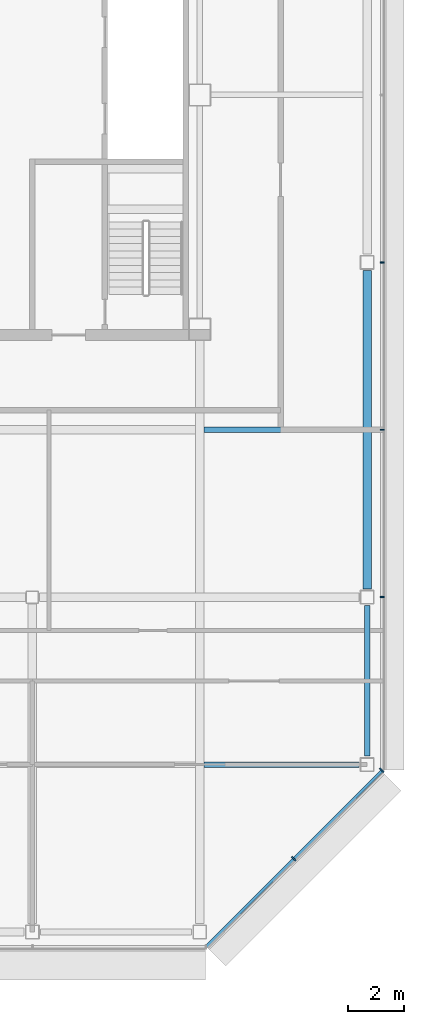
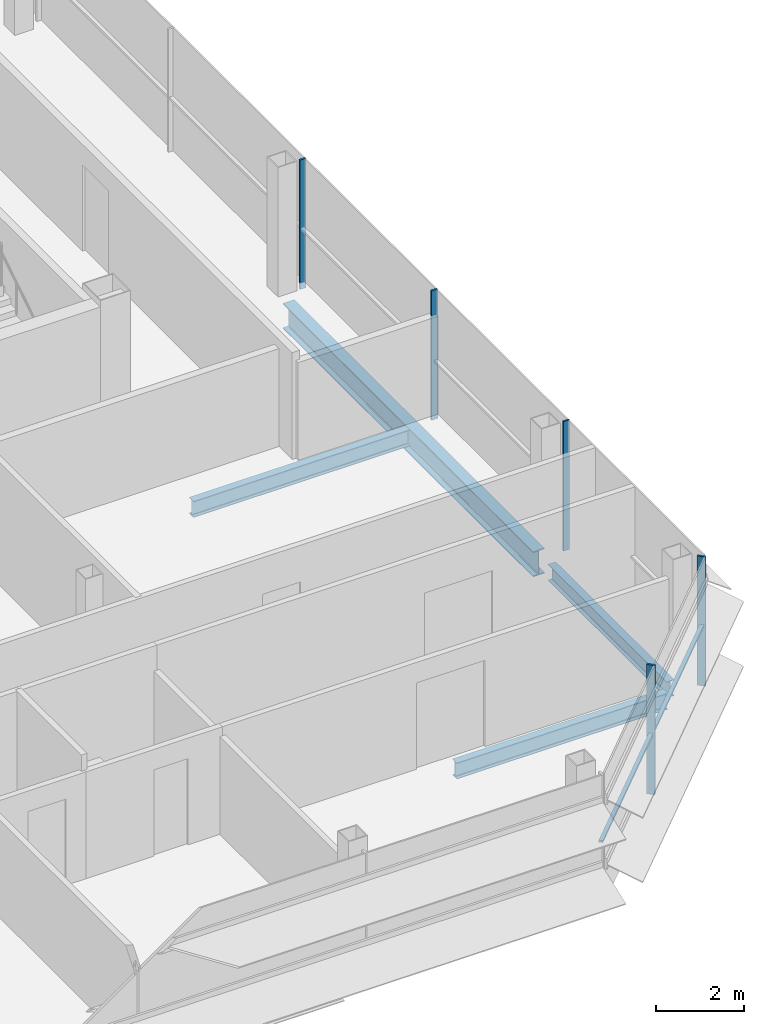
# One storey, part 17 of 28: 6 members, 4 beams, 2 elements without a shape of their own.
"""IFC4 building model written with IfcOpenShell, lengths in metres."""

from ifc_helpers import new_model, si_unit, direction, frame, origin, origin_2d, place, context, subcontext, project, spatial, rectangle, i_section, extrude, material, material_profile, profile_set, type_object, element, aggregate, save


model = new_model("IFC4")

# Units and contexts
model_context = context("Model", 3, precision=1e-05, world=origin(), true_north=direction((0.0, 1.0)))
body_context = subcontext(model_context, "Body", "Model", "MODEL_VIEW")
ifc_project = project(units=[si_unit("LENGTHUNIT", "METRE"), si_unit("AREAUNIT", "SQUARE_METRE"), si_unit("VOLUMEUNIT", "CUBIC_METRE"), si_unit("PLANEANGLEUNIT", "RADIAN"), si_unit("MASSUNIT", "GRAM", prefix="KILO")], contexts=[model_context])

# Site, building, storey
site_placement = place(None, origin())
site = spatial("IfcSite", under=ifc_project, at=site_placement, CompositionType="ELEMENT")
building_placement = place(site_placement, origin())
building = spatial("IfcBuilding", under=site, at=building_placement, Name="Sorahane Residences", CompositionType="ELEMENT")
storey_placement = place(building_placement, frame((0.0, 0.0, 301.60009765625)))
storey = spatial("IfcBuildingStorey", under=building, at=storey_placement, Name="L71", CompositionType="ELEMENT", Elevation=301.60009765625)

# Curtain wall, members
ifc_material_1 = material(Name="Dark low-e glass and black anodised aluminium", Category="aluminium")
curtain_wall_type_1 = type_object("IfcCurtainWallType", Name="Curtain wall CW-1 Typical unitised wall", PredefinedType="NOTDEFINED", material=ifc_material_1)
curtain_wall_1_placement = place(storey_placement, origin())
curtain_wall_1 = element("IfcCurtainWall", 1, at=curtain_wall_1_placement, inside=storey, type_object=curtain_wall_type_1, Name="CW-1 curtain wall L71 E1", PredefinedType="NOTDEFINED")
ifc_material_2 = material(Name="Black anodised aluminium", Category="aluminium")
ifc_material_profile_1 = material_profile(ifc_material_2, rectangle(XDim=0.159912109375, YDim=0.050048828125, at=origin_2d()), Name="Curtain wall mullion CW-1 black anodised aluminium 50x160")
ifc_profile_set_1 = profile_set([ifc_material_profile_1], Name="Black anodised aluminium")
member_type_1 = type_object("IfcMemberType", Name="Curtain wall mullion CW-1 black anodised aluminium 50x160", PredefinedType="MULLION", material=ifc_profile_set_1)
member_1_placement = place(storey_placement, frame((48.5400390625, 12.0, -0.18017578125), z_axis=(0.0, 0.0, 1.0), x_axis=(1.0, 0.0, 0.0)))
member_1 = element("IfcMember", 2, at=member_1_placement, type_object=member_type_1, Name="CW-1 mullion L71 E1.2", PredefinedType="MULLION", context=body_context, shape_type="SweptSolid", body=[
    extrude(rectangle(XDim=0.159912109375, YDim=0.050048828125, at=origin_2d()), origin(), (0.0, 0.0, 1.0), 3.60009765625),
])
member_2_placement = place(storey_placement, frame((48.5400390625, 18.0, -0.18017578125), z_axis=(0.0, 0.0, 1.0), x_axis=(1.0, 0.0, 0.0)))
member_2 = element("IfcMember", 3, at=member_2_placement, type_object=member_type_1, Name="CW-1 mullion L71 E1.3", PredefinedType="MULLION", context=body_context, shape_type="SweptSolid", body=[
    extrude(rectangle(XDim=0.159912109375, YDim=0.050048828125, at=origin_2d()), origin(), (0.0, 0.0, 1.0), 3.60009765625),
])
member_3_placement = place(storey_placement, frame((48.5400390625, 24.0, -0.18017578125), z_axis=(0.0, 0.0, 1.0), x_axis=(1.0, 0.0, 0.0)))
member_3 = element("IfcMember", 4, at=member_3_placement, type_object=member_type_1, Name="CW-1 mullion L71 E1.4", PredefinedType="MULLION", context=body_context, shape_type="SweptSolid", body=[
    extrude(rectangle(XDim=0.159912109375, YDim=0.050048828125, at=origin_2d()), origin(), (0.0, 0.0, 1.0), 3.60009765625),
])
aggregate(curtain_wall_1, [member_1, member_2, member_3])

ifc_material_3 = material(Name="Dark low-e glass and black anodised aluminium", Category="aluminium")
curtain_wall_type_2 = type_object("IfcCurtainWallType", Name="Curtain wall CW-2 Chamfer unitised wall", PredefinedType="NOTDEFINED", material=ifc_material_3)
curtain_wall_2_placement = place(storey_placement, origin())
curtain_wall_2 = element("IfcCurtainWall", 5, at=curtain_wall_2_placement, inside=storey, type_object=curtain_wall_type_2, Name="CW-2 curtain wall L71 SE1", PredefinedType="NOTDEFINED")
ifc_material_4 = material(Name="Black anodised aluminium", Category="aluminium")
ifc_material_profile_2 = material_profile(ifc_material_4, rectangle(XDim=0.199951171875, YDim=0.050048828125, at=origin_2d()), Name="Curtain wall mullion CW-2 black anodised aluminium 50x200")
ifc_profile_set_2 = profile_set([ifc_material_profile_2], Name="Black anodised aluminium")
member_type_2 = type_object("IfcMemberType", Name="Curtain wall mullion CW-2 black anodised aluminium 50x200", PredefinedType="MULLION", material=ifc_profile_set_2)
member_4_placement = place(storey_placement, frame((45.36767578125, 2.63232421875, -0.18017578125), z_axis=(0.0, 0.0, 1.0), x_axis=(0.707106781187, -0.707106781187, 0.0)))
member_4 = element("IfcMember", 6, at=member_4_placement, type_object=member_type_2, Name="CW-2 mullion L71 SE1.2", PredefinedType="MULLION", context=body_context, shape_type="SweptSolid", body=[
    extrude(rectangle(XDim=0.199951171875, YDim=0.050048828125, at=origin_2d()), origin(), (0.0, 0.0, 1.0), 3.60009765625),
])
member_5_placement = place(storey_placement, frame((48.525634765625, 5.790283203125, -0.18017578125), z_axis=(0.0, 0.0, 1.0), x_axis=(0.707106781187, -0.707106781187, 0.0)))
member_5 = element("IfcMember", 7, at=member_5_placement, type_object=member_type_2, Name="CW-2 mullion L71 SE1.3", PredefinedType="MULLION", context=body_context, shape_type="SweptSolid", body=[
    extrude(rectangle(XDim=0.199951171875, YDim=0.050048828125, at=origin_2d()), origin(), (0.0, 0.0, 1.0), 3.60009765625),
])
ifc_material_5 = material(Name="Black anodised aluminium", Category="aluminium")
ifc_material_profile_3 = material_profile(ifc_material_5, rectangle(XDim=0.10009765625, YDim=0.06005859375, at=origin_2d()), Name="Curtain wall transom CW-2 black anodised aluminium 60x100")
ifc_profile_set_3 = profile_set([ifc_material_profile_3], Name="Black anodised aluminium")
member_type_3 = type_object("IfcMemberType", Name="Curtain wall transom CW-2 black anodised aluminium 60x100", PredefinedType="USERDEFINED", material=ifc_profile_set_3)
member_6_placement = place(storey_placement, frame((42.234375, -0.51513671875, 1.5), z_axis=(0.707106781187, 0.707106781187, 0.0), x_axis=(-0.707106781187, 0.707106781187, 0.0)))
member_6 = element("IfcMember", 8, at=member_6_placement, type_object=member_type_3, Name="CW-2 transom L71 SE1", ObjectType="TRANSOM", PredefinedType="USERDEFINED", context=body_context, shape_type="SweptSolid", body=[
    extrude(rectangle(XDim=0.10009765625, YDim=0.06005859375, at=origin_2d()), origin(), (0.0, 0.0, 1.0), 8.88232421875),
])
aggregate(curtain_wall_2, [member_4, member_5, member_6])

# Beams
ifc_material_6 = material(Name="Steel Q355B", Category="steel")
ifc_material_profile_4 = material_profile(ifc_material_6, i_section(OverallWidth=0.199951171875, OverallDepth=0.449951171875, WebThickness=0.009033203125, FlangeThickness=0.013916015625, FilletRadius=0.02001953125, at=origin_2d()), Name="HN 450x200x9x14")
ifc_profile_set_4 = profile_set([ifc_material_profile_4], Name="Steel Q355B")
beam_type_1 = type_object("IfcBeamType", Name="Steel floor beam HN 450x200x9x14 Q355B", PredefinedType="BEAM", material=ifc_profile_set_4)
beam_1_placement = place(storey_placement, frame((48.0, 6.300048828125, -0.405029296875), z_axis=(0.0, 1.0, 0.0), x_axis=(-1.0, 0.0, 0.0)))
element("IfcBeam", 9, at=beam_1_placement, inside=storey, type_object=beam_type_1, Name="Beam L71 062", PredefinedType="BEAM", context=body_context, shape_type="SweptSolid", body=[
    extrude(i_section(OverallWidth=0.199951171875, OverallDepth=0.449951171875, WebThickness=0.009033203125, FlangeThickness=0.013916015625, FilletRadius=0.02001953125, at=origin_2d()), origin(), (0.0, 0.0, 1.0), 5.39990234375),
])
beam_2_placement = place(storey_placement, frame((42.14990234375, 6.0, -0.405029296875), z_axis=(1.0, 0.0, 0.0), x_axis=(0.0, 1.0, 0.0)))
element("IfcBeam", 10, at=beam_2_placement, inside=storey, type_object=beam_type_1, Name="Beam L71 075", PredefinedType="BEAM", context=body_context, shape_type="SweptSolid", body=[
    extrude(i_section(OverallWidth=0.199951171875, OverallDepth=0.449951171875, WebThickness=0.009033203125, FlangeThickness=0.013916015625, FilletRadius=0.02001953125, at=origin_2d()), origin(), (0.0, 0.0, 1.0), 5.550048828125),
])
beam_3_placement = place(storey_placement, frame((42.14990234375, 18.0, -0.405029296875), z_axis=(1.0, 0.0, 0.0), x_axis=(0.0, 1.0, 0.0)))
element("IfcBeam", 11, at=beam_3_placement, inside=storey, type_object=beam_type_1, Name="Beam L71 082", PredefinedType="BEAM", context=body_context, shape_type="SweptSolid", body=[
    extrude(i_section(OverallWidth=0.199951171875, OverallDepth=0.449951171875, WebThickness=0.009033203125, FlangeThickness=0.013916015625, FilletRadius=0.02001953125, at=origin_2d()), origin(), (0.0, 0.0, 1.0), 5.7001953125),
])
ifc_material_7 = material(Name="Steel Q355B", Category="steel")
ifc_material_profile_5 = material_profile(ifc_material_7, i_section(OverallWidth=0.300048828125, OverallDepth=0.699951171875, WebThickness=0.012939453125, FlangeThickness=0.02392578125, FilletRadius=0.028076171875, at=origin_2d()), Name="HN 700x300x13x24")
ifc_profile_set_5 = profile_set([ifc_material_profile_5], Name="Steel Q355B")
beam_type_2 = type_object("IfcBeamType", Name="Steel floor beam HN 700x300x13x24 Q355B", PredefinedType="BEAM", material=ifc_profile_set_5)
beam_4_placement = place(storey_placement, frame((48.0, 12.300048828125, -0.530029296875), z_axis=(0.0, 1.0, 0.0), x_axis=(-1.0, 0.0, 0.0)))
element("IfcBeam", 12, at=beam_4_placement, inside=storey, type_object=beam_type_2, Name="Beam L71 063", PredefinedType="BEAM", context=body_context, shape_type="SweptSolid", body=[
    extrude(i_section(OverallWidth=0.300048828125, OverallDepth=0.699951171875, WebThickness=0.012939453125, FlangeThickness=0.02392578125, FilletRadius=0.028076171875, at=origin_2d()), origin(), (0.0, 0.0, 1.0), 11.39990234375),
])

save(model, "model.ifc")
